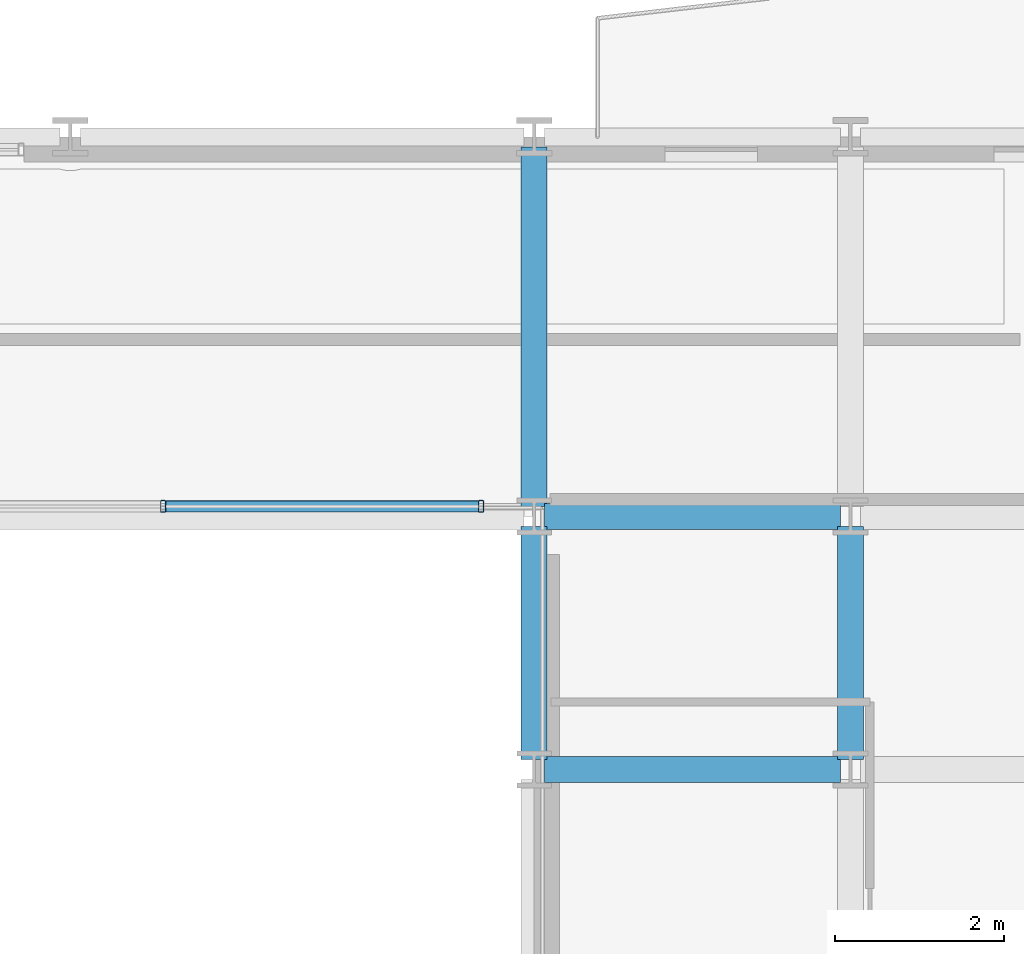
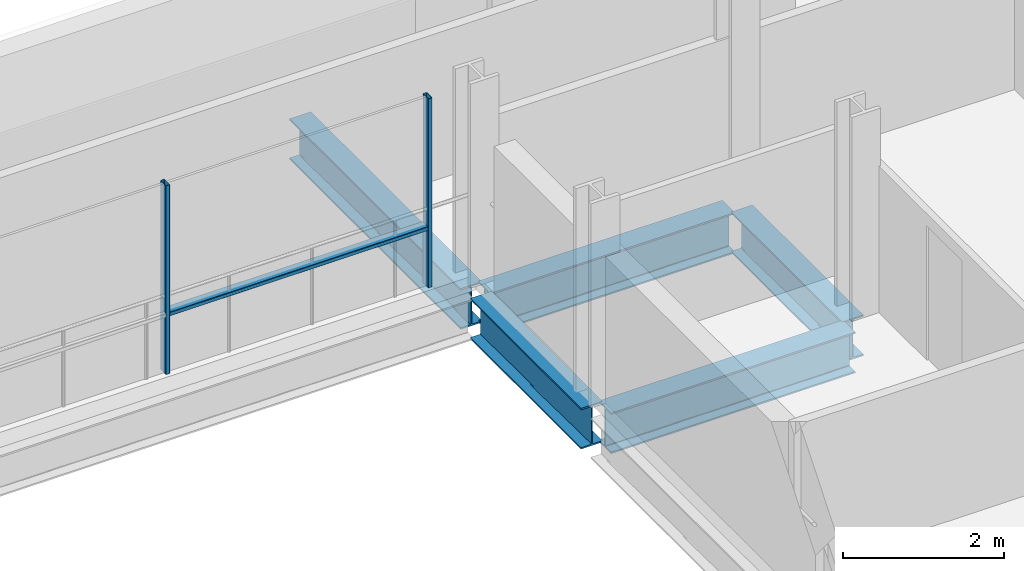
# One storey, part 17 of 41: 5 beams, 3 members, 1 element without a shape of its own.
"""IFC4 building model written with IfcOpenShell, lengths in metres."""

import ifcopenshell
import ifcopenshell.guid

model = None  # the IFC model being written
_history = None  # IfcOwnerHistory: only IFC2X3 demands one
_inside = {}  # id of a spatial element -> (the spatial element, [elements in it])
_under = {}  # id of a project, library or spatial element -> (it, [spatial elements below it])
_declared = {}  # id of a project -> (the project, [libraries it declares])
_typed = {}  # id of a type object -> (the type object, [elements of that type])
_made_of = {}  # id of a material, layer set ... -> (it, [elements and type objects made of it])


def new_model(schema):
    """Start an empty IFC model of exactly this schema.

    Asked for "IFC4X3", IfcOpenShell would pick the latest addendum, in which some entities
    have other attributes; the version numbers below select the first issue.
    IFC2X3 requires an IfcOwnerHistory on every rooted entity: one is made here for all.
    """
    global model, _history
    if schema == "IFC4X3":
        model = ifcopenshell.file(schema_version=(4, 3, 0, 0))
    else:
        model = ifcopenshell.file(schema=schema)
    _inside.clear()
    _under.clear()
    _declared.clear()
    _typed.clear()
    _made_of.clear()
    _history = None
    if model.schema == "IFC2X3":
        org = make("IfcOrganization", Name="unknown")
        user = make(
            "IfcPersonAndOrganization",
            ThePerson=make("IfcPerson", FamilyName="unknown"),
            TheOrganization=org,
        )
        app = make(
            "IfcApplication",
            ApplicationDeveloper=org,
            Version="unknown",
            ApplicationFullName="unknown",
            ApplicationIdentifier="unknown",
        )
        _history = make(
            "IfcOwnerHistory",
            OwningUser=user,
            OwningApplication=app,
            ChangeAction="ADDED",
            CreationDate=0,
        )
    return model


def make(cls, **values):
    """One entity of the class cls with the attributes given. An attribute that is None is left unset."""
    return model.create_entity(
        cls, **{name: value for name, value in values.items() if value is not None}
    )


def rooted(cls, **values):
    """An entity with a GlobalId (a new one), such as an element, a storey or a relation."""
    return make(cls, GlobalId=ifcopenshell.guid.new(), OwnerHistory=_history, **values)


def si_unit(unit_type, name, prefix=None):
    """IfcSIUnit, for example si_unit("LENGTHUNIT", "METRE", prefix="MILLI")."""
    return make("IfcSIUnit", UnitType=unit_type, Prefix=prefix, Name=name)


def assignment(units):
    """IfcUnitAssignment: the units of a project."""
    return None if units is None else make("IfcUnitAssignment", Units=units)


def point(xyz):
    """IfcCartesianPoint."""
    return None if xyz is None else make("IfcCartesianPoint", Coordinates=xyz)


def direction(xyz):
    """IfcDirection."""
    return None if xyz is None else make("IfcDirection", DirectionRatios=xyz)


def frame(location, z_axis=None, x_axis=None):
    """IfcAxis2Placement3D, a coordinate frame: its origin and axes. An axis left out is left unset."""
    return make(
        "IfcAxis2Placement3D",
        Location=point(location),
        Axis=direction(z_axis),
        RefDirection=direction(x_axis),
    )


def frame_2d(location, x_axis=None):
    """IfcAxis2Placement2D, a coordinate frame in the plane: its origin and x axis."""
    return make(
        "IfcAxis2Placement2D", Location=point(location), RefDirection=direction(x_axis)
    )


def origin():
    """The frame at (0, 0, 0) with its axes left unset."""
    return frame((0.0, 0.0, 0.0))


def origin_2d():
    """The frame at (0, 0) in the plane with its x axis left unset."""
    return frame_2d((0.0, 0.0))


def place(relative_to, where):
    """IfcLocalPlacement: puts the frame where relative to a parent placement (None: the world)."""
    return make(
        "IfcLocalPlacement", PlacementRelTo=relative_to, RelativePlacement=where
    )


def context(
    kind, dimensions, precision=None, world=None, true_north=None, identifier=None
):
    """IfcGeometricRepresentationContext, for example the 3D "Model" context."""
    return make(
        "IfcGeometricRepresentationContext",
        ContextIdentifier=identifier,
        ContextType=kind,
        CoordinateSpaceDimension=dimensions,
        Precision=precision,
        WorldCoordinateSystem=world,
        TrueNorth=true_north,
    )


def subcontext(parent, identifier, kind, view, scale=None):
    """IfcGeometricRepresentationSubContext, for example "Body" below "Model"."""
    return make(
        "IfcGeometricRepresentationSubContext",
        ContextIdentifier=identifier,
        ContextType=kind,
        ParentContext=parent,
        TargetScale=scale,
        TargetView=view,
    )


def project(units=None, contexts=None):
    """IfcProject with its units and contexts."""
    return rooted(
        "IfcProject",
        Name="project",
        RepresentationContexts=contexts,
        UnitsInContext=assignment(units),
    )


def spatial(cls, under=None, at=None, **own):
    """A site, building, storey or space (cls), placed at a placement, below another one or the project."""
    s = rooted(cls, ObjectPlacement=at, **own)
    if under is not None:
        _under.setdefault(under.id(), (under, []))[1].append(s)
    return s


def profile(cls, at=None, kind="AREA", **sizes):
    """A parametric profile (cls). Its sizes go by their IFC names, for example OverallWidth=200.0."""
    return make(cls, ProfileType=kind, Position=at, **sizes)


def hollow_rectangle(**sizes):
    """IfcRectangleHollowProfileDef."""
    return profile("IfcRectangleHollowProfileDef", **sizes)


def i_section(**sizes):
    """IfcIShapeProfileDef."""
    return profile("IfcIShapeProfileDef", **sizes)


def extrude(swept, where, along, depth):
    """IfcExtrudedAreaSolid: the profile swept, set in the frame where, extruded along a direction by depth."""
    return make(
        "IfcExtrudedAreaSolid",
        SweptArea=swept,
        Position=where,
        ExtrudedDirection=direction(along),
        Depth=depth,
    )


def shape(context_of_items, identifier, shape_type, items):
    """IfcShapeRepresentation: the items that make up one representation, for example the "Body"."""
    return make(
        "IfcShapeRepresentation",
        ContextOfItems=context_of_items,
        RepresentationIdentifier=identifier,
        RepresentationType=shape_type,
        Items=items,
    )


def material(Name=None, Category=None):
    """IfcMaterial."""
    return make("IfcMaterial", Name=Name, Category=Category)


def layer(
    of_material, thickness, ventilated=None, Name=None, Category=None, Priority=None
):
    """IfcMaterialLayer: one layer of a wall or slab, of a material (None: an air gap)."""
    return make(
        "IfcMaterialLayer",
        Material=of_material,
        LayerThickness=thickness,
        IsVentilated=ventilated,
        Name=Name,
        Category=Category,
        Priority=Priority,
    )


def layer_set(layers, Name=None):
    """IfcMaterialLayerSet."""
    return make("IfcMaterialLayerSet", MaterialLayers=layers, LayerSetName=Name)


def material_profile(
    of_material, cross_section, Name=None, Category=None, Priority=None
):
    """IfcMaterialProfile: a cross section and its material."""
    return make(
        "IfcMaterialProfile",
        Name=Name,
        Material=of_material,
        Profile=cross_section,
        Priority=Priority,
        Category=Category,
    )


def profile_set(profiles, Name=None, composite=None):
    """IfcMaterialProfileSet."""
    return make(
        "IfcMaterialProfileSet",
        Name=Name,
        MaterialProfiles=profiles,
        CompositeProfile=composite,
    )


def made_of(thing, what):
    """Note that an element or type object is made of a material, layer set ...; save() writes the relation."""
    if what is not None:
        _made_of.setdefault(what.id(), (what, []))[1].append(thing)
    return thing


def type_object(cls, material=None, **own):
    """A type object (cls), such as IfcWallType, which elements share."""
    return made_of(rooted(cls, **own), material)


def element(
    cls,
    number,
    at=None,
    inside=None,
    cuts=None,
    type_object=None,
    material=None,
    context=None,
    identifier="Body",
    shape_type=None,
    held_by="IfcProductDefinitionShape",
    body=None,
    shapes=None,
    **own,
):
    """One element of the class cls, such as IfcWall. Its Tag is "e" and its number.

    at: its placement. inside: the storey or other place that contains it. cuts: it is an
    opening in that element (IfcRelVoidsElement). A single representation is given by context,
    identifier, shape_type and body (its items); several are given by shapes. held_by: the class
    of the entity that holds the representations. save() writes the other relations.
    """
    e = rooted(cls, Tag="e%d" % number, ObjectPlacement=at, **own)
    if body is not None:
        shapes = [shape(context, identifier, shape_type, body)]
    if shapes is not None:
        e.Representation = make(held_by, Representations=shapes)
    if inside is not None:
        _inside.setdefault(inside.id(), (inside, []))[1].append(e)
    if cuts is not None:
        rooted(
            "IfcRelVoidsElement", RelatingBuildingElement=cuts, RelatedOpeningElement=e
        )
    if type_object is not None:
        _typed.setdefault(type_object.id(), (type_object, []))[1].append(e)
    return made_of(e, material)


def aggregate(whole, parts):
    """IfcRelAggregates: a whole, such as a stair, and the parts it consists of."""
    return rooted("IfcRelAggregates", RelatingObject=whole, RelatedObjects=parts)


def save(model, path):
    """Write the relations noted so far, then the file.

    IfcRelAggregates (storeys below a building ...), IfcRelContainedInSpatialStructure (elements
    in a storey), IfcRelDefinesByType, IfcRelAssociatesMaterial and IfcRelDeclares: one each for
    every whole, place, type object, material and project.
    """
    for whole, parts in _under.values():
        aggregate(whole, parts)
    for where, things in _inside.values():
        rooted(
            "IfcRelContainedInSpatialStructure",
            RelatedElements=things,
            RelatingStructure=where,
        )
    for kind, things in _typed.values():
        rooted("IfcRelDefinesByType", RelatedObjects=things, RelatingType=kind)
    for what, things in _made_of.values():
        rooted("IfcRelAssociatesMaterial", RelatedObjects=things, RelatingMaterial=what)
    for by, libraries in _declared.values():
        rooted("IfcRelDeclares", RelatingContext=by, RelatedDefinitions=libraries)
    model.write(path)


model = new_model("IFC4")

# Units and contexts
model_context = context("Model", 3, precision=1e-05, world=origin(), true_north=direction((0.0, 1.0)))
body_context = subcontext(model_context, "Body", "Model", "MODEL_VIEW")
ifc_project = project(units=[si_unit("LENGTHUNIT", "METRE"), si_unit("AREAUNIT", "SQUARE_METRE"), si_unit("VOLUMEUNIT", "CUBIC_METRE"), si_unit("PLANEANGLEUNIT", "RADIAN"), si_unit("MASSUNIT", "GRAM", prefix="KILO")], contexts=[model_context])

# Site, building, storey
site_placement = place(None, origin())
site = spatial("IfcSite", under=ifc_project, at=site_placement, CompositionType="ELEMENT")
building_placement = place(site_placement, origin())
building = spatial("IfcBuilding", under=site, at=building_placement, Name="Brevholm Reach", CompositionType="ELEMENT")
storey_placement = place(building_placement, frame((0.0, 0.0, 86.89990234375)))
storey = spatial("IfcBuildingStorey", under=building, at=storey_placement, Name="L25", CompositionType="ELEMENT", Elevation=86.89990234375)

# Beams
ifc_material_1 = material(Name="Structural Steel S355J2", Category="steel")
ifc_material_profile_1 = material_profile(ifc_material_1, i_section(OverallWidth=0.30712890625, OverallDepth=0.6201171875, WebThickness=0.01416015625, FlangeThickness=0.023681640625, FilletRadius=0.0166015625, at=origin_2d()), Name="UKB 610x305x179")
ifc_profile_set_1 = profile_set([ifc_material_profile_1], Name="Structural Steel S355J2")
beam_type = type_object("IfcBeamType", Name="BM-UKB610H", PredefinedType="USERDEFINED", material=ifc_profile_set_1)
for number, where, z_axis, x_axis, name in (
    (1, (38.3701171875, 23.5, -0.5400390625), (1.0, 0.0, 0.0), (0.0, 1.0, 0.0), "L25 G-06 Framing Beam"),
    (2, (38.3701171875, 26.5, -0.5400390625), (1.0, 0.0, 0.0), (0.0, 1.0, 0.0), "L25 G-06 Framing Beam"),
):
    element("IfcBeam", number, at=place(storey_placement, frame(where, z_axis=z_axis, x_axis=x_axis)), inside=storey, type_object=beam_type, Name=name, ObjectType="GIRDER", PredefinedType="USERDEFINED", context=body_context, shape_type="SweptSolid", body=[
        extrude(i_section(OverallWidth=0.30712890625, OverallDepth=0.6201171875, WebThickness=0.01416015625, FlangeThickness=0.023681640625, FilletRadius=0.0166015625, at=origin_2d()), origin(), (0.0, 0.0, 1.0), 3.509765625),
    ])
beam_1_placement = place(storey_placement, frame((38.25, 23.6201171875, -0.5400390625), z_axis=(0.0, 1.0, 0.0), x_axis=(-1.0, 0.0, 0.0)))
element("IfcBeam", 3, at=beam_1_placement, inside=storey, type_object=beam_type, Name="L25 G-06 Framing Beam", ObjectType="GIRDER", PredefinedType="USERDEFINED", context=body_context, shape_type="SweptSolid", body=[
    extrude(i_section(OverallWidth=0.30712890625, OverallDepth=0.6201171875, WebThickness=0.01416015625, FlangeThickness=0.023681640625, FilletRadius=0.0166015625, at=origin_2d()), origin(), (0.0, 0.0, 1.0), 2.759765625),
])
beam_2_placement = place(storey_placement, frame((38.25, 26.6201171875, -0.5400390625), z_axis=(0.0, 1.0, 0.0), x_axis=(-1.0, 0.0, 0.0)))
element("IfcBeam", 4, at=beam_2_placement, inside=storey, type_object=beam_type, Name="L25 G-06 Framing Beam", ObjectType="GIRDER", PredefinedType="USERDEFINED", context=body_context, shape_type="SweptSolid", body=[
    extrude(i_section(OverallWidth=0.30712890625, OverallDepth=0.6201171875, WebThickness=0.01416015625, FlangeThickness=0.023681640625, FilletRadius=0.0166015625, at=origin_2d()), origin(), (0.0, 0.0, 1.0), 4.259765625),
])
beam_3_placement = place(storey_placement, frame((42.0, 23.6201171875, -0.5400390625), z_axis=(0.0, 1.0, 0.0), x_axis=(-1.0, 0.0, 0.0)))
element("IfcBeam", 5, at=beam_3_placement, inside=storey, type_object=beam_type, Name="L25 G-06 Framing Beam", ObjectType="GIRDER", PredefinedType="USERDEFINED", context=body_context, shape_type="SweptSolid", body=[
    extrude(i_section(OverallWidth=0.30712890625, OverallDepth=0.6201171875, WebThickness=0.01416015625, FlangeThickness=0.023681640625, FilletRadius=0.0166015625, at=origin_2d()), origin(), (0.0, 0.0, 1.0), 2.759765625),
])

# Curtain wall, members
ifc_material_2 = material(Name="Dark Anodised Aluminium 6063-T6 and Solar-Control Glass", Category="aluminium")
ifc_layer = layer(ifc_material_2, 0.139892578125)
ifc_layer_set = layer_set([ifc_layer], Name="Dark Anodised Aluminium 6063-T6 and Solar-Control Glass")
curtain_wall_type = type_object("IfcCurtainWallType", Name="CW-02", PredefinedType="NOTDEFINED", material=ifc_layer_set)
curtain_wall_placement = place(storey_placement, origin())
curtain_wall = element("IfcCurtainWall", 6, at=curtain_wall_placement, inside=storey, type_object=curtain_wall_type, Name="L25 Curtain Wall CW-02", PredefinedType="NOTDEFINED")
ifc_material_3 = material(Name="Dark Anodised Aluminium 6063-T6", Category="aluminium")
ifc_material_profile_2 = material_profile(ifc_material_3, hollow_rectangle(XDim=0.06005859375, YDim=0.139892578125, WallThickness=0.0048828125, InnerFilletRadius=0.0048828125, OuterFilletRadius=0.010009765625, at=origin_2d()), Name="RHS 140x60x5")
ifc_profile_set_2 = profile_set([ifc_material_profile_2], Name="Dark Anodised Aluminium 6063-T6")
member_type_1 = type_object("IfcMemberType", Name="CWM-140", PredefinedType="MULLION", material=ifc_profile_set_2)
member_1_placement = place(storey_placement, frame((37.6201171875, 26.6201171875, 0.0), z_axis=(0.0, 0.0, 1.0), x_axis=(-1.0, 0.0, 0.0)))
member_1 = element("IfcMember", 7, at=member_1_placement, type_object=member_type_1, Name="CM-140 Mullion 1", PredefinedType="MULLION", context=body_context, shape_type="SweptSolid", body=[
    extrude(hollow_rectangle(XDim=0.06005859375, YDim=0.139892578125, WallThickness=0.0048828125, InnerFilletRadius=0.0048828125, OuterFilletRadius=0.010009765625, at=origin_2d()), origin(), (0.0, 0.0, 1.0), 2.8701171875),
])
member_2_placement = place(storey_placement, frame((33.85009765625, 26.6201171875, 0.0), z_axis=(0.0, 0.0, 1.0), x_axis=(-1.0, 0.0, 0.0)))
member_2 = element("IfcMember", 8, at=member_2_placement, type_object=member_type_1, Name="CM-140 Mullion 2", PredefinedType="MULLION", context=body_context, shape_type="SweptSolid", body=[
    extrude(hollow_rectangle(XDim=0.06005859375, YDim=0.139892578125, WallThickness=0.0048828125, InnerFilletRadius=0.0048828125, OuterFilletRadius=0.010009765625, at=origin_2d()), origin(), (0.0, 0.0, 1.0), 2.8701171875),
])
ifc_material_4 = material(Name="Dark Anodised Aluminium 6063-T6", Category="aluminium")
ifc_material_profile_3 = material_profile(ifc_material_4, hollow_rectangle(XDim=0.06005859375, YDim=0.139892578125, WallThickness=0.0048828125, InnerFilletRadius=0.0048828125, OuterFilletRadius=0.010009765625, at=origin_2d()), Name="RHS 140x60x5")
ifc_profile_set_3 = profile_set([ifc_material_profile_3], Name="Dark Anodised Aluminium 6063-T6")
member_type_2 = type_object("IfcMemberType", Name="CWT-140", PredefinedType="NOTDEFINED", material=ifc_profile_set_3)
member_3_placement = place(storey_placement, frame((37.590087890625, 26.6201171875, 0.900146484375), z_axis=(-1.0, 0.0, 0.0), x_axis=(0.0, 0.0, 1.0)))
member_3 = element("IfcMember", 9, at=member_3_placement, type_object=member_type_2, Name="CT-140 Transom 1.1", ObjectType="TRANSOM", PredefinedType="USERDEFINED", context=body_context, shape_type="SweptSolid", body=[
    extrude(hollow_rectangle(XDim=0.06005859375, YDim=0.139892578125, WallThickness=0.0048828125, InnerFilletRadius=0.0048828125, OuterFilletRadius=0.010009765625, at=origin_2d()), origin(), (0.0, 0.0, 1.0), 3.710205078125),
])
aggregate(curtain_wall, [member_1, member_2, member_3])

save(model, "model.ifc")
